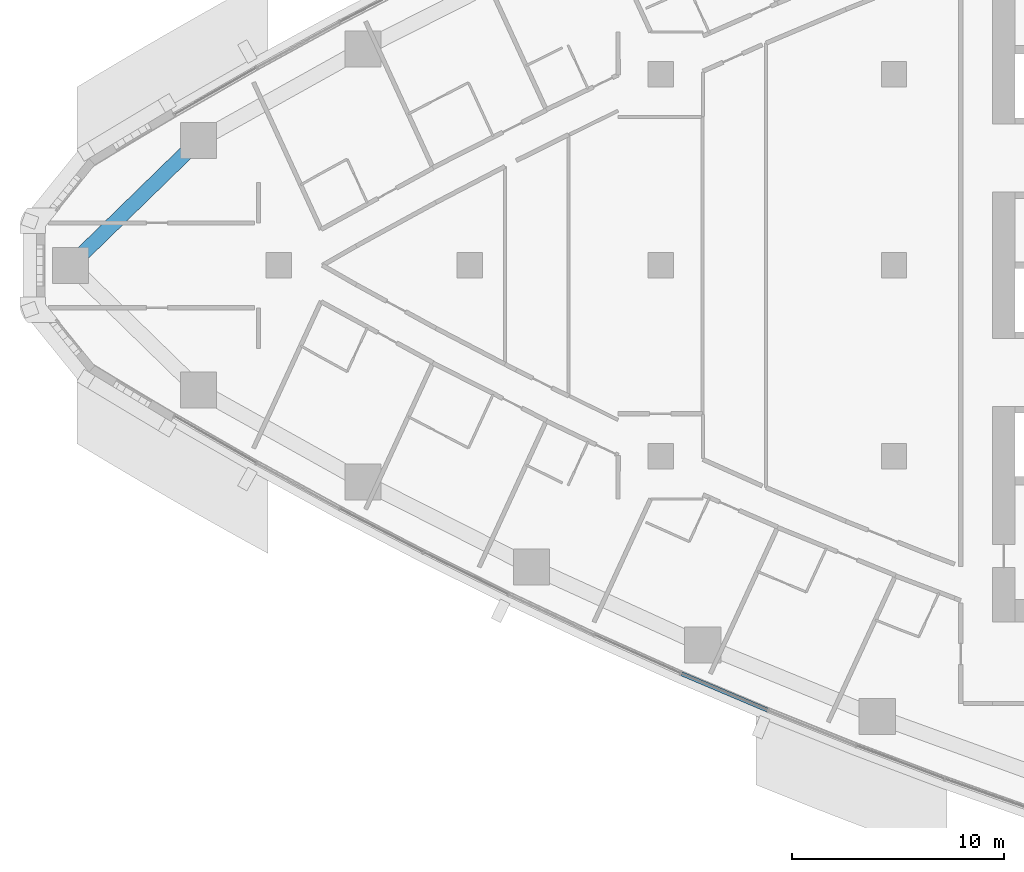
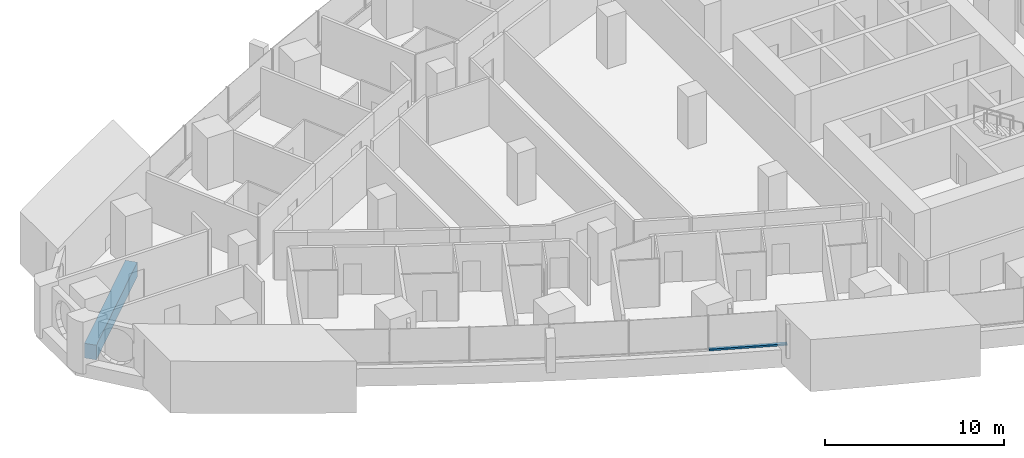
# One storey, part 3 of 17: 1 beam, 1 member, 1 element without a shape of its own.
"""IFC4 building model written with IfcOpenShell, lengths in metres."""

from ifc_helpers import new_model, si_unit, direction, frame, origin, origin_2d, place, context, subcontext, project, spatial, rectangle, extrude, material, layer, layer_set, material_profile, profile_set, type_object, element, aggregate, save


model = new_model("IFC4")

# Units and contexts
model_context = context("Model", 3, precision=1e-05, world=origin(), true_north=direction((0.0, 1.0)))
body_context = subcontext(model_context, "Body", "Model", "MODEL_VIEW")
ifc_project = project(units=[si_unit("LENGTHUNIT", "METRE"), si_unit("AREAUNIT", "SQUARE_METRE"), si_unit("VOLUMEUNIT", "CUBIC_METRE"), si_unit("PLANEANGLEUNIT", "RADIAN"), si_unit("MASSUNIT", "GRAM", prefix="KILO")], contexts=[model_context])

# Site, building, storey
site_placement = place(None, origin())
site = spatial("IfcSite", under=ifc_project, at=site_placement, CompositionType="ELEMENT")
building_placement = place(site_placement, origin())
building = spatial("IfcBuilding", under=site, at=building_placement, Name="Ostrand Prow Hotel Tower", CompositionType="ELEMENT")
storey_placement = place(building_placement, frame((0.0, 0.0, 109.75)))
storey = spatial("IfcBuildingStorey", under=building, at=storey_placement, Name="L26", CompositionType="ELEMENT", Elevation=109.75)

# Beam
ifc_material_1 = material(Name="Concrete C80/95", Category="concrete")
ifc_material_profile_1 = material_profile(ifc_material_1, rectangle(XDim=0.699951171875, YDim=1.0, at=origin_2d()), Name="RC 700x1000")
ifc_profile_set_1 = profile_set([ifc_material_profile_1], Name="Concrete C80/95")
beam_type = type_object("IfcBeamType", Name="Edge beam 700x1000 C80/95", PredefinedType="SPANDREL", material=ifc_profile_set_1)
beam_placement = place(storey_placement, frame((12.221435546875, 5.876220703125, -0.800048828125), z_axis=(-0.716082759826, -0.698015387423, 0.0), x_axis=(0.698015387423, -0.716082759826, 0.0)))
element("IfcBeam", 1, at=beam_placement, inside=storey, type_object=beam_type, Name="Edge beam N6-P", PredefinedType="SPANDREL", context=body_context, shape_type="SweptSolid", body=[
    extrude(rectangle(XDim=0.699951171875, YDim=1.0, at=origin_2d()), origin(), (0.0, 0.0, 1.0), 8.41845703125),
])

# Curtain wall, member
ifc_material_2 = material(Name="Insulated glass in bronze anodised frame", Category="glass")
ifc_layer = layer(ifc_material_2, 0.199951171875)
ifc_layer_set = layer_set([ifc_layer], Name="Insulated glass in bronze anodised frame")
curtain_wall_type = type_object("IfcCurtainWallType", Name="Strip curtain wall, fritted glass over bronze spandrel", PredefinedType="NOTDEFINED", material=ifc_layer_set)
curtain_wall_placement = place(storey_placement, origin())
curtain_wall = element("IfcCurtainWall", 2, at=curtain_wall_placement, inside=storey, type_object=curtain_wall_type, Name="CW1 run CWS4", PredefinedType="NOTDEFINED")
ifc_material_3 = material(Name="Bronze anodised aluminium", Category="aluminium")
ifc_material_profile_2 = material_profile(ifc_material_3, rectangle(XDim=0.199951171875, YDim=0.1201171875, at=origin_2d()), Name="Transom 120x200 bronze anodised aluminium")
ifc_profile_set_2 = profile_set([ifc_material_profile_2], Name="Bronze anodised aluminium")
member_type = type_object("IfcMemberType", Name="Transom 120x200 bronze anodised aluminium", PredefinedType="USERDEFINED", material=ifc_profile_set_2)
member_placement = place(storey_placement, frame((34.978271484375, -19.24462890625, 0.9599609375), z_axis=(0.921006250528, -0.389547797438, 0.0), x_axis=(0.389547797438, 0.921006250528, 0.0)))
member = element("IfcMember", 3, at=member_placement, type_object=member_type, Name="CW1 transom 1.1", ObjectType="TRANSOM", PredefinedType="USERDEFINED", context=body_context, shape_type="SweptSolid", body=[
    extrude(rectangle(XDim=0.199951171875, YDim=0.1201171875, at=origin_2d()), origin(), (0.0, 0.0, 1.0), 4.406005859375),
])
aggregate(curtain_wall, [member])

save(model, "model.ifc")
